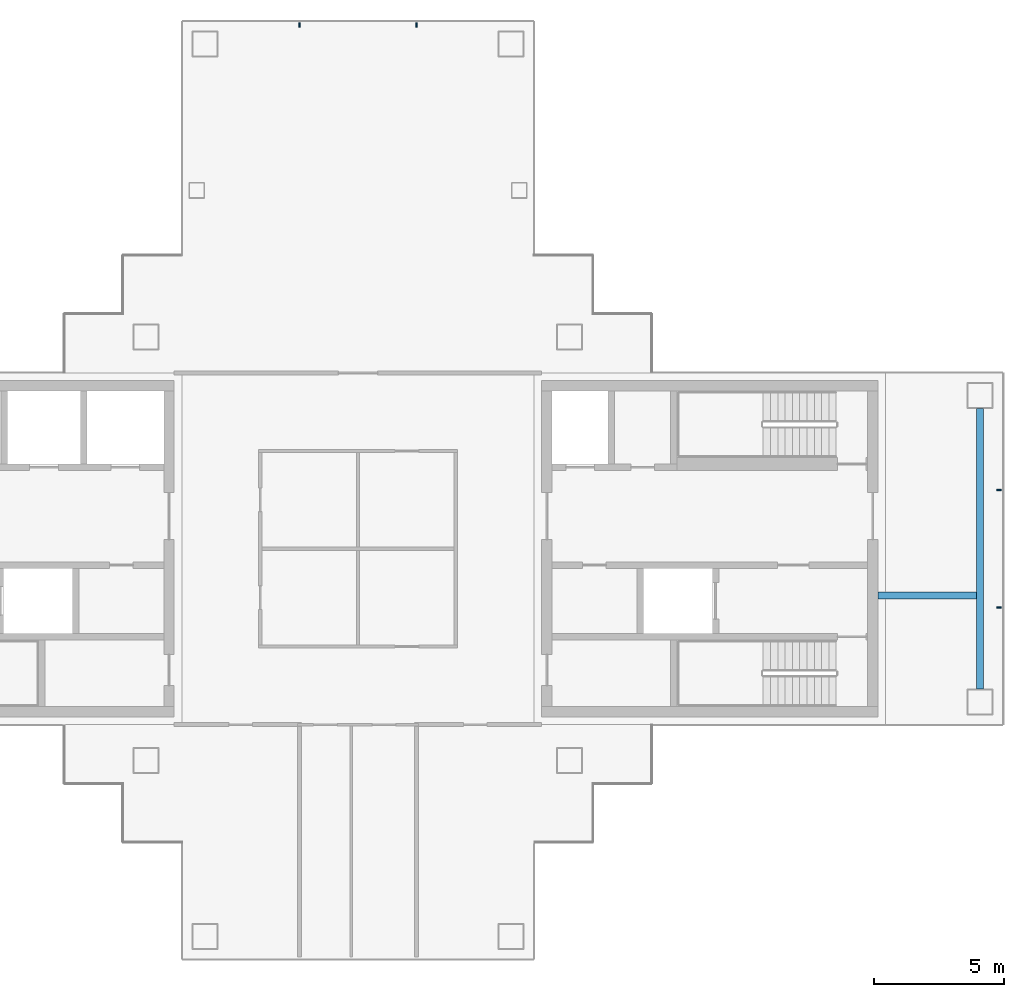
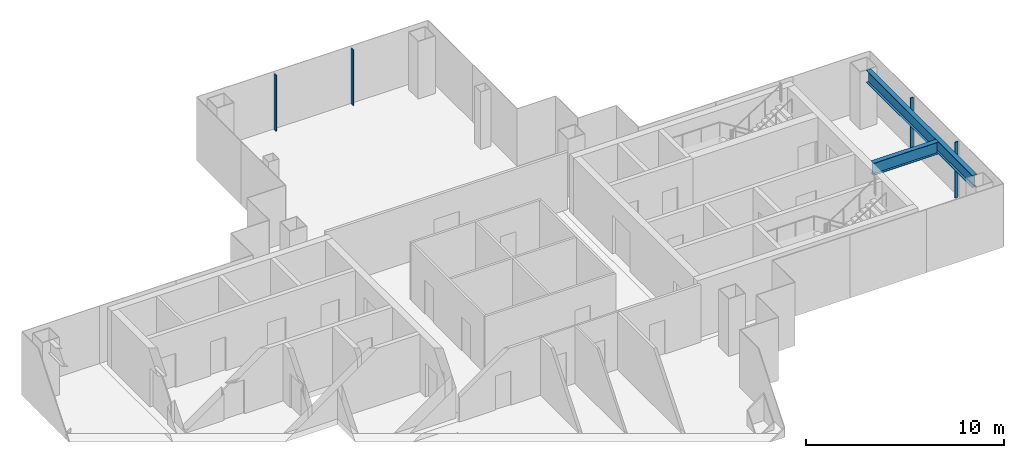
# One storey, part 5 of 15: 4 members, 2 beams, 2 elements without a shape of their own.
"""IFC4 building model written with IfcOpenShell, lengths in metres."""

from ifc_helpers import new_model, si_unit, direction, frame, origin, origin_2d, place, context, subcontext, project, spatial, rectangle, i_section, extrude, material, layer, layer_set, material_profile, profile_set, type_object, element, aggregate, save


model = new_model("IFC4")

# Units and contexts
model_context = context("Model", 3, precision=1e-05, world=origin(), true_north=direction((0.0, 1.0)))
body_context = subcontext(model_context, "Body", "Model", "MODEL_VIEW")
ifc_project = project(units=[si_unit("LENGTHUNIT", "METRE"), si_unit("AREAUNIT", "SQUARE_METRE"), si_unit("VOLUMEUNIT", "CUBIC_METRE"), si_unit("PLANEANGLEUNIT", "RADIAN"), si_unit("MASSUNIT", "GRAM", prefix="KILO")], contexts=[model_context])

# Site, building, storey
site_placement = place(None, origin())
site = spatial("IfcSite", under=ifc_project, at=site_placement, CompositionType="ELEMENT")
building_placement = place(site_placement, origin())
building = spatial("IfcBuilding", under=site, at=building_placement, Name="Shamsa Quay Exchange Towers", CompositionType="ELEMENT")
storey_placement = place(building_placement, frame((0.0, 0.0, 202.199951171875)))
storey = spatial("IfcBuildingStorey", under=building, at=storey_placement, Name="L48", CompositionType="ELEMENT", Elevation=202.199951171875)

# Curtain wall, members
ifc_material_1 = material(Name="Aluminium EN AW-6063 T6, black anodised", Category="aluminium")
ifc_layer = layer(ifc_material_1, 0.280029296875)
ifc_layer_set = layer_set([ifc_layer], Name="CW-1 UNITISED VISION GLASS")
curtain_wall_type = type_object("IfcCurtainWallType", Name="CW-1 UNITISED VISION GLASS", PredefinedType="NOTDEFINED", material=ifc_layer_set)
curtain_wall_1_placement = place(storey_placement, origin())
curtain_wall_1 = element("IfcCurtainWall", 1, at=curtain_wall_1_placement, inside=storey, type_object=curtain_wall_type, Name="CW1 T2-END-V- L48", PredefinedType="NOTDEFINED")
ifc_material_profile_1 = material_profile(ifc_material_1, rectangle(XDim=0.179931640625, YDim=0.06005859375, at=origin_2d()), Name="MU60x180")
ifc_profile_set_1 = profile_set([ifc_material_profile_1], Name="Aluminium EN AW-6063 T6, black anodised")
member_type = type_object("IfcMemberType", Name="CW1 MULLION 60x180", PredefinedType="MULLION", material=ifc_profile_set_1)
member_1_placement = place(storey_placement, frame((58.35009765625, -2.25, 0.0), z_axis=(0.0, 0.0, 1.0), x_axis=(-1.0, 0.0, 0.0)))
member_1 = element("IfcMember", 2, at=member_1_placement, type_object=member_type, Name="CW1 mullion", PredefinedType="MULLION", context=body_context, shape_type="SweptSolid", body=[
    extrude(rectangle(XDim=0.179931640625, YDim=0.06005859375, at=origin_2d()), origin(), (0.0, 0.0, 1.0), 3.449951171875),
])
member_2_placement = place(storey_placement, frame((58.35009765625, 2.25, 0.0), z_axis=(0.0, 0.0, 1.0), x_axis=(-1.0, 0.0, 0.0)))
member_2 = element("IfcMember", 3, at=member_2_placement, type_object=member_type, Name="CW1 mullion", PredefinedType="MULLION", context=body_context, shape_type="SweptSolid", body=[
    extrude(rectangle(XDim=0.179931640625, YDim=0.06005859375, at=origin_2d()), origin(), (0.0, 0.0, 1.0), 3.449951171875),
])
aggregate(curtain_wall_1, [member_1, member_2])

curtain_wall_2_placement = place(storey_placement, origin())
curtain_wall_2 = element("IfcCurtainWall", 4, at=curtain_wall_2_placement, inside=storey, type_object=curtain_wall_type, Name="CW1 T2-END-U+ L48", PredefinedType="NOTDEFINED")
member_3_placement = place(storey_placement, frame((36.0, 20.10009765625, 0.0), z_axis=(0.0, 0.0, 1.0), x_axis=(0.0, -1.0, 0.0)))
member_3 = element("IfcMember", 5, at=member_3_placement, type_object=member_type, Name="CW1 mullion", PredefinedType="MULLION", context=body_context, shape_type="SweptSolid", body=[
    extrude(rectangle(XDim=0.179931640625, YDim=0.06005859375, at=origin_2d()), origin(), (0.0, 0.0, 1.0), 3.449951171875),
])
member_4_placement = place(storey_placement, frame((31.5, 20.10009765625, 0.0), z_axis=(0.0, 0.0, 1.0), x_axis=(0.0, -1.0, 0.0)))
member_4 = element("IfcMember", 6, at=member_4_placement, type_object=member_type, Name="CW1 mullion", PredefinedType="MULLION", context=body_context, shape_type="SweptSolid", body=[
    extrude(rectangle(XDim=0.179931640625, YDim=0.06005859375, at=origin_2d()), origin(), (0.0, 0.0, 1.0), 3.449951171875),
])
aggregate(curtain_wall_2, [member_3, member_4])

# Beams
ifc_material_2 = material(Name="Steel S355", Category="steel")
ifc_material_profile_2 = material_profile(ifc_material_2, i_section(OverallWidth=0.26611328125, OverallDepth=0.7578125, WebThickness=0.013916015625, FlangeThickness=0.019287109375, at=origin_2d()), Name="W30x108")
ifc_profile_set_2 = profile_set([ifc_material_profile_2], Name="Steel S355")
beam_type = type_object("IfcBeamType", Name="End-zone beam W30x108", PredefinedType="BEAM", material=ifc_profile_set_2)
beam_1_placement = place(storey_placement, frame((57.625, -5.375, 3.171142578125), z_axis=(0.0, 1.0, 0.0), x_axis=(-1.0, 0.0, 0.0)))
element("IfcBeam", 7, at=beam_1_placement, inside=storey, type_object=beam_type, Name="End beam T2 V- end zone L48", PredefinedType="BEAM", context=body_context, shape_type="SweptSolid", body=[
    extrude(i_section(OverallWidth=0.26611328125, OverallDepth=0.7578125, WebThickness=0.013916015625, FlangeThickness=0.019287109375, at=origin_2d()), origin(), (0.0, 0.0, 1.0), 10.75),
])
beam_2_placement = place(storey_placement, frame((53.699951171875, -1.800048828125, 3.171142578125), z_axis=(1.0, 0.0, 0.0), x_axis=(0.0, 1.0, 0.0)))
element("IfcBeam", 8, at=beam_2_placement, inside=storey, type_object=beam_type, Name="Spine beam T2 V- end zone L48", PredefinedType="BEAM", context=body_context, shape_type="SweptSolid", body=[
    extrude(i_section(OverallWidth=0.26611328125, OverallDepth=0.7578125, WebThickness=0.013916015625, FlangeThickness=0.019287109375, at=origin_2d()), origin(), (0.0, 0.0, 1.0), 3.7919921875),
])

save(model, "model.ifc")
